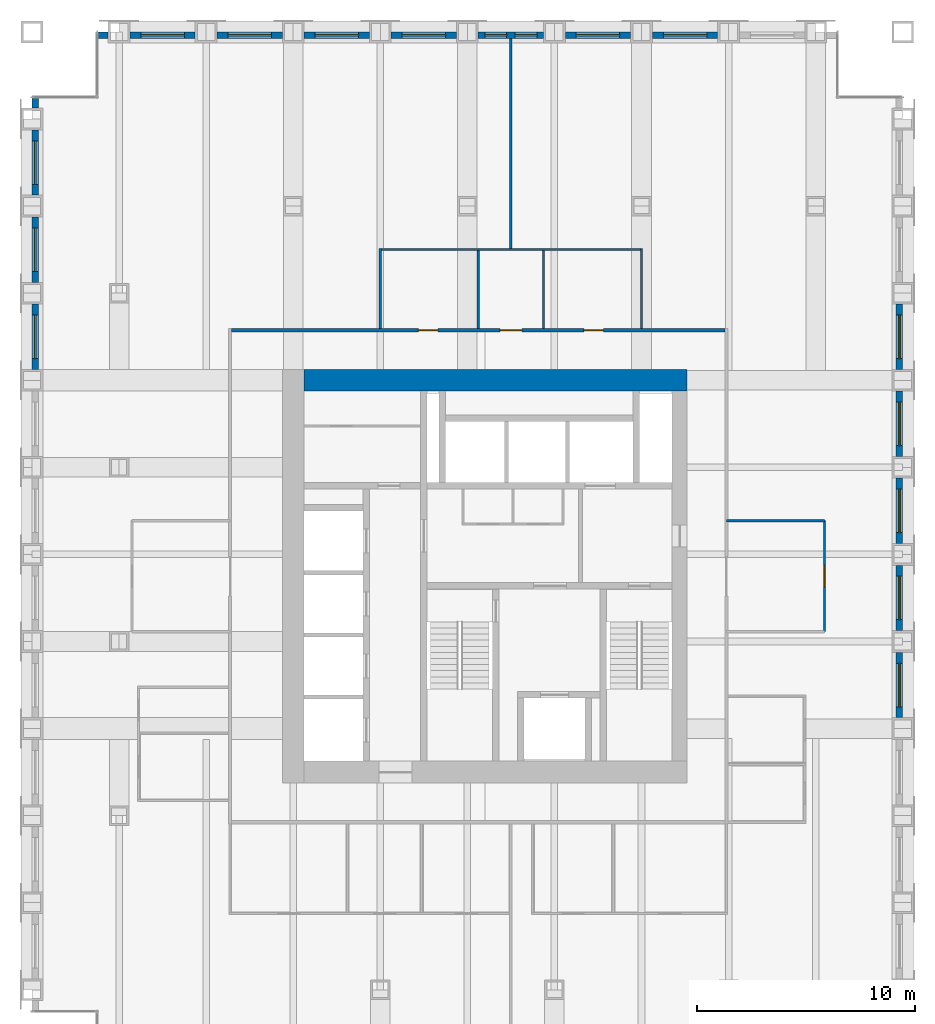
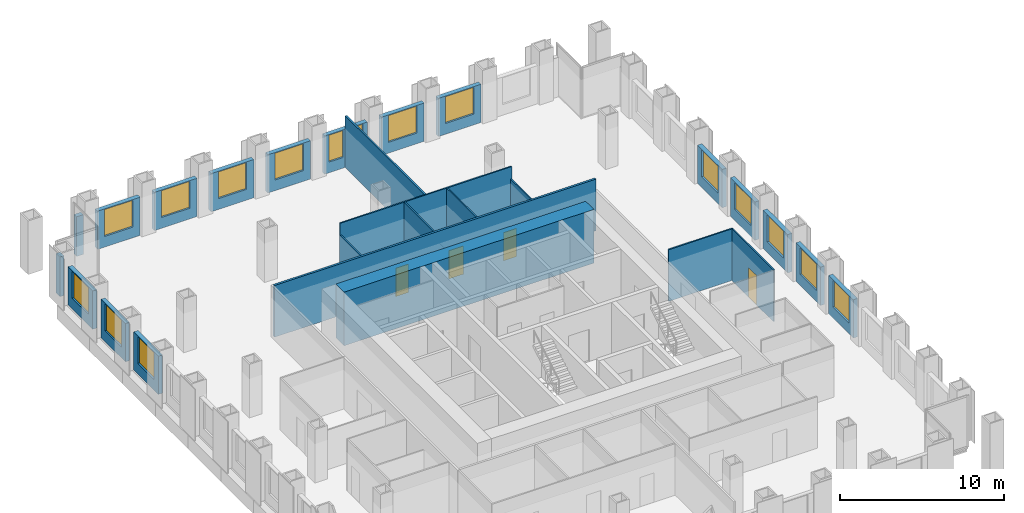
# One storey, part 10 of 12: 27 walls, 16 windows, 4 doors, 20 openings.
"""IFC4 building model written with IfcOpenShell, lengths in metres."""

from ifc_helpers import new_model, si_unit, direction, frame, frame_2d, origin, place, context, subcontext, project, spatial, rectangle, extrude, material, layer, layer_set, type_object, element, fill, save


model = new_model("IFC4")

# Units and contexts
model_context = context("Model", 3, precision=1e-05, world=origin(), true_north=direction((0.0, 1.0)))
body_context = subcontext(model_context, "Body", "Model", "MODEL_VIEW")
ifc_project = project(units=[si_unit("LENGTHUNIT", "METRE"), si_unit("AREAUNIT", "SQUARE_METRE"), si_unit("VOLUMEUNIT", "CUBIC_METRE"), si_unit("PLANEANGLEUNIT", "RADIAN"), si_unit("MASSUNIT", "GRAM", prefix="KILO")], contexts=[model_context])

# Site, building, storey
site_placement = place(None, origin())
site = spatial("IfcSite", under=ifc_project, at=site_placement, CompositionType="ELEMENT")
building_placement = place(site_placement, origin())
building = spatial("IfcBuilding", under=site, at=building_placement, Name="Rimbunsela Tower", CompositionType="ELEMENT")
storey_placement = place(building_placement, frame((0.0, 0.0, 151.800048828125)))
storey = spatial("IfcBuildingStorey", under=building, at=storey_placement, Name="L36", CompositionType="ELEMENT", Elevation=151.800048828125)

# Wall
ifc_material_1 = material(Name="Concrete fc' 80 MPa", Category="concrete")
ifc_layer_1 = layer(ifc_material_1, 1.0)
ifc_layer_set_1 = layer_set([ifc_layer_1], Name="Core wall 1000")
wall_type_1 = type_object("IfcWallType", Name="Core wall 1000", PredefinedType="SHEAR", material=ifc_layer_set_1)
wall_1_placement = place(storey_placement, frame((18.5, 36.0, -0.150146484375), z_axis=(0.0, 0.0, 1.0), x_axis=(1.0, 0.0, 0.0)))
element("IfcWall", 1, at=wall_1_placement, inside=storey, type_object=wall_type_1, Name="Core wall north", PredefinedType="SHEAR", context=body_context, shape_type="SweptSolid", body=[
    extrude(rectangle(XDim=17.60009765625, YDim=1.0, at=frame_2d((8.800048828125, 0.0))), origin(), (0.0, 0.0, 1.0), 4.0),
])

# Wall, opening, door
ifc_material_2 = material(Name="Gypsum board on steel studs", Category="steel")
ifc_layer_2 = layer(ifc_material_2, 0.10009765625)
ifc_layer_set_2 = layer_set([ifc_layer_2], Name="Office partition 100")
wall_type_2 = type_object("IfcWallType", Name="Office partition 100", PredefinedType="PARTITIONING", material=ifc_layer_set_2)
wall_2_placement = place(storey_placement, frame((42.39990234375, 24.449951171875, 0.0), z_axis=(0.0, 0.0, 1.0), x_axis=(0.0, 1.0, 0.0)))
wall_2 = element("IfcWall", 2, at=wall_2_placement, inside=storey, type_object=wall_type_2, Name="Office partition", PredefinedType="PARTITIONING", context=body_context, shape_type="SweptSolid", body=[
    extrude(rectangle(XDim=5.10009765625, YDim=0.10009765625, at=frame_2d((2.550048828125, 0.0))), origin(), (0.0, 0.0, 1.0), 3.849853515625),
])
opening_1_placement = place(wall_2_placement, frame((2.050048828125, 0.0, 0.0)))
opening_1 = element("IfcOpeningElement", 3, at=opening_1_placement, cuts=wall_2, Name="Opening D17", PredefinedType="OPENING", context=body_context, shape_type="SweptSolid", body=[
    extrude(rectangle(XDim=1.0, YDim=2.199951171875, at=frame_2d((0.5, 1.10009765625))), frame((0.0, 0.06005859375, 0.0), z_axis=(0.0, -1.0, 0.0), x_axis=(1.0, 0.0, 0.0)), (0.0, 0.0, 1.0), 0.1201171875),
])
ifc_material_3 = material(Name="Glazed aluminium door", Category="aluminium")
door_type_1 = type_object("IfcDoorType", Name="Meeting room door 1000 glazed", OperationType="SINGLE_SWING_RIGHT", PredefinedType="DOOR", material=ifc_material_3)
door_1_placement = place(opening_1_placement, origin())
door_1 = element("IfcDoor", 4, at=door_1_placement, inside=storey, type_object=door_type_1, Name="Reception door", OperationType="SINGLE_SWING_RIGHT", OverallHeight=2.199951171875, OverallWidth=1.0, PredefinedType="DOOR", context=body_context, shape_type="SweptSolid", body=[
    extrude(rectangle(XDim=1.0, YDim=2.199951171875, at=frame_2d((0.5, 1.10009765625))), frame((0.0, 0.02490234375, 0.0), z_axis=(0.0, -1.0, 0.0), x_axis=(1.0, 0.0, 0.0)), (0.0, 0.0, 1.0), 0.050048828125),
])
fill(opening_1, door_1)

# Wall
wall_3_placement = place(storey_placement, frame((42.39990234375, 29.550048828125, 0.0), z_axis=(0.0, 0.0, 1.0), x_axis=(-1.0, 0.0, 0.0)))
element("IfcWall", 5, at=wall_3_placement, inside=storey, type_object=wall_type_2, Name="Office partition", PredefinedType="PARTITIONING", context=body_context, shape_type="SweptSolid", body=[
    extrude(rectangle(XDim=4.5, YDim=0.10009765625, at=frame_2d((2.25, 0.0))), origin(), (0.0, 0.0, 1.0), 3.849853515625),
])

# Wall, opening, window
ifc_material_4 = material(Name="Precast concrete fc' 35 MPa", Category="concrete")
ifc_layer_3 = layer(ifc_material_4, 0.300048828125)
ifc_layer_set_3 = layer_set([ifc_layer_3], Name="Precast concrete fc' 35 MPa")
wall_type_3 = type_object("IfcWallType", Name="Precast facade panel 300", PredefinedType="ELEMENTEDWALL", material=ifc_layer_set_3)
wall_4_placement = place(storey_placement, frame((45.85009765625, 20.5, 0.0), z_axis=(0.0, 0.0, 1.0), x_axis=(0.0, 1.0, 0.0)))
wall_4 = element("IfcWall", 6, at=wall_4_placement, inside=storey, type_object=wall_type_3, Name="Facade panel E L36", PredefinedType="ELEMENTEDWALL", context=body_context, shape_type="SweptSolid", body=[
    extrude(rectangle(XDim=3.0, YDim=0.300048828125, at=frame_2d((1.5, 0.0))), origin(), (0.0, 0.0, 1.0), 2.849853515625),
])
opening_2_placement = place(wall_4_placement, frame((0.5, 0.0, 0.800048828125)))
opening_2 = element("IfcOpeningElement", 7, at=opening_2_placement, cuts=wall_4, Name="Opening W1", PredefinedType="OPENING", context=body_context, shape_type="SweptSolid", body=[
    extrude(rectangle(XDim=2.0, YDim=2.0, at=frame_2d((1.0, 1.0))), frame((0.0, 0.159912109375, 0.0), z_axis=(0.0, -1.0, 0.0), x_axis=(1.0, 0.0, 0.0)), (0.0, 0.0, 1.0), 0.320068359375),
])
ifc_material_5 = material(Name="Clear glass in aluminium frame", Category="aluminium")
window_type_1 = type_object("IfcWindowType", Name="Window W1 2000x2000", PartitioningType="DOUBLE_PANEL_VERTICAL", PredefinedType="WINDOW", material=ifc_material_5)
window_1_placement = place(opening_2_placement, origin())
window_1 = element("IfcWindow", 8, at=window_1_placement, inside=storey, type_object=window_type_1, Name="Window L36", OverallHeight=2.0, OverallWidth=2.0, PartitioningType="SINGLE_PANEL", PredefinedType="WINDOW", context=body_context, shape_type="SweptSolid", body=[
    extrude(rectangle(XDim=2.0, YDim=2.0, at=frame_2d((1.0, 1.0))), frame((0.0, 0.030029296875, 0.0), z_axis=(0.0, -1.0, 0.0), x_axis=(1.0, 0.0, 0.0)), (0.0, 0.0, 1.0), 0.06005859375),
])
fill(opening_2, window_1)

wall_5_placement = place(storey_placement, frame((45.85009765625, 24.5, 0.0), z_axis=(0.0, 0.0, 1.0), x_axis=(0.0, 1.0, 0.0)))
wall_5 = element("IfcWall", 9, at=wall_5_placement, inside=storey, type_object=wall_type_3, Name="Facade panel E L36", PredefinedType="ELEMENTEDWALL", context=body_context, shape_type="SweptSolid", body=[
    extrude(rectangle(XDim=3.0, YDim=0.300048828125, at=frame_2d((1.5, 0.0))), origin(), (0.0, 0.0, 1.0), 2.849853515625),
])
opening_3_placement = place(wall_5_placement, frame((0.5, 0.0, 0.800048828125)))
opening_3 = element("IfcOpeningElement", 10, at=opening_3_placement, cuts=wall_5, Name="Opening W1", PredefinedType="OPENING", context=body_context, shape_type="SweptSolid", body=[
    extrude(rectangle(XDim=2.0, YDim=2.0, at=frame_2d((1.0, 1.0))), frame((0.0, 0.159912109375, 0.0), z_axis=(0.0, -1.0, 0.0), x_axis=(1.0, 0.0, 0.0)), (0.0, 0.0, 1.0), 0.320068359375),
])
window_2_placement = place(opening_3_placement, origin())
window_2 = element("IfcWindow", 11, at=window_2_placement, inside=storey, type_object=window_type_1, Name="Window L36", OverallHeight=2.0, OverallWidth=2.0, PartitioningType="SINGLE_PANEL", PredefinedType="WINDOW", context=body_context, shape_type="SweptSolid", body=[
    extrude(rectangle(XDim=2.0, YDim=2.0, at=frame_2d((1.0, 1.0))), frame((0.0, 0.030029296875, 0.0), z_axis=(0.0, -1.0, 0.0), x_axis=(1.0, 0.0, 0.0)), (0.0, 0.0, 1.0), 0.06005859375),
])
fill(opening_3, window_2)

wall_6_placement = place(storey_placement, frame((45.85009765625, 28.5, 0.0), z_axis=(0.0, 0.0, 1.0), x_axis=(0.0, 1.0, 0.0)))
wall_6 = element("IfcWall", 12, at=wall_6_placement, inside=storey, type_object=wall_type_3, Name="Facade panel E L36", PredefinedType="ELEMENTEDWALL", context=body_context, shape_type="SweptSolid", body=[
    extrude(rectangle(XDim=3.0, YDim=0.300048828125, at=frame_2d((1.5, 0.0))), origin(), (0.0, 0.0, 1.0), 2.849853515625),
])
opening_4_placement = place(wall_6_placement, frame((0.5, 0.0, 0.800048828125)))
opening_4 = element("IfcOpeningElement", 13, at=opening_4_placement, cuts=wall_6, Name="Opening W1", PredefinedType="OPENING", context=body_context, shape_type="SweptSolid", body=[
    extrude(rectangle(XDim=2.0, YDim=2.0, at=frame_2d((1.0, 1.0))), frame((0.0, 0.159912109375, 0.0), z_axis=(0.0, -1.0, 0.0), x_axis=(1.0, 0.0, 0.0)), (0.0, 0.0, 1.0), 0.320068359375),
])
window_3_placement = place(opening_4_placement, origin())
window_3 = element("IfcWindow", 14, at=window_3_placement, inside=storey, type_object=window_type_1, Name="Window L36", OverallHeight=2.0, OverallWidth=2.0, PartitioningType="SINGLE_PANEL", PredefinedType="WINDOW", context=body_context, shape_type="SweptSolid", body=[
    extrude(rectangle(XDim=2.0, YDim=2.0, at=frame_2d((1.0, 1.0))), frame((0.0, 0.030029296875, 0.0), z_axis=(0.0, -1.0, 0.0), x_axis=(1.0, 0.0, 0.0)), (0.0, 0.0, 1.0), 0.06005859375),
])
fill(opening_4, window_3)

wall_7_placement = place(storey_placement, frame((45.85009765625, 32.5, 0.0), z_axis=(0.0, 0.0, 1.0), x_axis=(0.0, 1.0, 0.0)))
wall_7 = element("IfcWall", 15, at=wall_7_placement, inside=storey, type_object=wall_type_3, Name="Facade panel E L36", PredefinedType="ELEMENTEDWALL", context=body_context, shape_type="SweptSolid", body=[
    extrude(rectangle(XDim=3.0, YDim=0.300048828125, at=frame_2d((1.5, 0.0))), origin(), (0.0, 0.0, 1.0), 2.849853515625),
])
opening_5_placement = place(wall_7_placement, frame((0.5, 0.0, 0.800048828125)))
opening_5 = element("IfcOpeningElement", 16, at=opening_5_placement, cuts=wall_7, Name="Opening W1", PredefinedType="OPENING", context=body_context, shape_type="SweptSolid", body=[
    extrude(rectangle(XDim=2.0, YDim=2.0, at=frame_2d((1.0, 1.0))), frame((0.0, 0.159912109375, 0.0), z_axis=(0.0, -1.0, 0.0), x_axis=(1.0, 0.0, 0.0)), (0.0, 0.0, 1.0), 0.320068359375),
])
window_4_placement = place(opening_5_placement, origin())
window_4 = element("IfcWindow", 17, at=window_4_placement, inside=storey, type_object=window_type_1, Name="Window L36", OverallHeight=2.0, OverallWidth=2.0, PartitioningType="SINGLE_PANEL", PredefinedType="WINDOW", context=body_context, shape_type="SweptSolid", body=[
    extrude(rectangle(XDim=2.0, YDim=2.0, at=frame_2d((1.0, 1.0))), frame((0.0, 0.030029296875, 0.0), z_axis=(0.0, -1.0, 0.0), x_axis=(1.0, 0.0, 0.0)), (0.0, 0.0, 1.0), 0.06005859375),
])
fill(opening_5, window_4)

wall_8_placement = place(storey_placement, frame((45.85009765625, 36.5, 0.0), z_axis=(0.0, 0.0, 1.0), x_axis=(0.0, 1.0, 0.0)))
wall_8 = element("IfcWall", 18, at=wall_8_placement, inside=storey, type_object=wall_type_3, Name="Facade panel E L36", PredefinedType="ELEMENTEDWALL", context=body_context, shape_type="SweptSolid", body=[
    extrude(rectangle(XDim=3.0, YDim=0.300048828125, at=frame_2d((1.5, 0.0))), origin(), (0.0, 0.0, 1.0), 2.849853515625),
])
opening_6_placement = place(wall_8_placement, frame((0.5, 0.0, 0.800048828125)))
opening_6 = element("IfcOpeningElement", 19, at=opening_6_placement, cuts=wall_8, Name="Opening W1", PredefinedType="OPENING", context=body_context, shape_type="SweptSolid", body=[
    extrude(rectangle(XDim=2.0, YDim=2.0, at=frame_2d((1.0, 1.0))), frame((0.0, 0.159912109375, 0.0), z_axis=(0.0, -1.0, 0.0), x_axis=(1.0, 0.0, 0.0)), (0.0, 0.0, 1.0), 0.320068359375),
])
window_5_placement = place(opening_6_placement, origin())
window_5 = element("IfcWindow", 20, at=window_5_placement, inside=storey, type_object=window_type_1, Name="Window L36", OverallHeight=2.0, OverallWidth=2.0, PartitioningType="SINGLE_PANEL", PredefinedType="WINDOW", context=body_context, shape_type="SweptSolid", body=[
    extrude(rectangle(XDim=2.0, YDim=2.0, at=frame_2d((1.0, 1.0))), frame((0.0, 0.030029296875, 0.0), z_axis=(0.0, -1.0, 0.0), x_axis=(1.0, 0.0, 0.0)), (0.0, 0.0, 1.0), 0.06005859375),
])
fill(opening_6, window_5)

# Wall
wall_9_placement = place(storey_placement, frame((9.5, 51.85009765625, 0.0), z_axis=(0.0, 0.0, 1.0), x_axis=(-1.0, 0.0, 0.0)))
element("IfcWall", 21, at=wall_9_placement, inside=storey, type_object=wall_type_3, Name="Facade panel N L36", PredefinedType="ELEMENTEDWALL", context=body_context, shape_type="SweptSolid", body=[
    extrude(rectangle(XDim=0.469970703125, YDim=0.300048828125, at=frame_2d((0.23486328125, 0.0))), origin(), (0.0, 0.0, 1.0), 2.949951171875),
])

# Wall, opening, window
wall_10_placement = place(storey_placement, frame((13.5, 51.85009765625, 0.0), z_axis=(0.0, 0.0, 1.0), x_axis=(-1.0, 0.0, 0.0)))
wall_10 = element("IfcWall", 22, at=wall_10_placement, inside=storey, type_object=wall_type_3, Name="Facade panel N L36", PredefinedType="ELEMENTEDWALL", context=body_context, shape_type="SweptSolid", body=[
    extrude(rectangle(XDim=3.0, YDim=0.300048828125, at=frame_2d((1.5, 0.0))), origin(), (0.0, 0.0, 1.0), 2.849853515625),
])
opening_7_placement = place(wall_10_placement, frame((0.5, 0.0, 0.800048828125)))
opening_7 = element("IfcOpeningElement", 23, at=opening_7_placement, cuts=wall_10, Name="Opening W1", PredefinedType="OPENING", context=body_context, shape_type="SweptSolid", body=[
    extrude(rectangle(XDim=2.0, YDim=2.0, at=frame_2d((1.0, 1.0))), frame((0.0, 0.159912109375, 0.0), z_axis=(0.0, -1.0, 0.0), x_axis=(1.0, 0.0, 0.0)), (0.0, 0.0, 1.0), 0.320068359375),
])
window_6_placement = place(opening_7_placement, origin())
window_6 = element("IfcWindow", 24, at=window_6_placement, inside=storey, type_object=window_type_1, Name="Window L36", OverallHeight=2.0, OverallWidth=2.0, PartitioningType="SINGLE_PANEL", PredefinedType="WINDOW", context=body_context, shape_type="SweptSolid", body=[
    extrude(rectangle(XDim=2.0, YDim=2.0, at=frame_2d((1.0, 1.0))), frame((0.0, 0.030029296875, 0.0), z_axis=(0.0, -1.0, 0.0), x_axis=(1.0, 0.0, 0.0)), (0.0, 0.0, 1.0), 0.06005859375),
])
fill(opening_7, window_6)

wall_11_placement = place(storey_placement, frame((17.5, 51.85009765625, 0.0), z_axis=(0.0, 0.0, 1.0), x_axis=(-1.0, 0.0, 0.0)))
wall_11 = element("IfcWall", 25, at=wall_11_placement, inside=storey, type_object=wall_type_3, Name="Facade panel N L36", PredefinedType="ELEMENTEDWALL", context=body_context, shape_type="SweptSolid", body=[
    extrude(rectangle(XDim=3.0, YDim=0.300048828125, at=frame_2d((1.5, 0.0))), origin(), (0.0, 0.0, 1.0), 2.849853515625),
])
opening_8_placement = place(wall_11_placement, frame((0.5, 0.0, 0.800048828125)))
opening_8 = element("IfcOpeningElement", 26, at=opening_8_placement, cuts=wall_11, Name="Opening W1", PredefinedType="OPENING", context=body_context, shape_type="SweptSolid", body=[
    extrude(rectangle(XDim=2.0, YDim=2.0, at=frame_2d((1.0, 1.0))), frame((0.0, 0.159912109375, 0.0), z_axis=(0.0, -1.0, 0.0), x_axis=(1.0, 0.0, 0.0)), (0.0, 0.0, 1.0), 0.320068359375),
])
window_7_placement = place(opening_8_placement, origin())
window_7 = element("IfcWindow", 27, at=window_7_placement, inside=storey, type_object=window_type_1, Name="Window L36", OverallHeight=2.0, OverallWidth=2.0, PartitioningType="SINGLE_PANEL", PredefinedType="WINDOW", context=body_context, shape_type="SweptSolid", body=[
    extrude(rectangle(XDim=2.0, YDim=2.0, at=frame_2d((1.0, 1.0))), frame((0.0, 0.030029296875, 0.0), z_axis=(0.0, -1.0, 0.0), x_axis=(1.0, 0.0, 0.0)), (0.0, 0.0, 1.0), 0.06005859375),
])
fill(opening_8, window_7)

wall_12_placement = place(storey_placement, frame((21.5, 51.85009765625, 0.0), z_axis=(0.0, 0.0, 1.0), x_axis=(-1.0, 0.0, 0.0)))
wall_12 = element("IfcWall", 28, at=wall_12_placement, inside=storey, type_object=wall_type_3, Name="Facade panel N L36", PredefinedType="ELEMENTEDWALL", context=body_context, shape_type="SweptSolid", body=[
    extrude(rectangle(XDim=3.0, YDim=0.300048828125, at=frame_2d((1.5, 0.0))), origin(), (0.0, 0.0, 1.0), 2.849853515625),
])
opening_9_placement = place(wall_12_placement, frame((0.5, 0.0, 0.800048828125)))
opening_9 = element("IfcOpeningElement", 29, at=opening_9_placement, cuts=wall_12, Name="Opening W1", PredefinedType="OPENING", context=body_context, shape_type="SweptSolid", body=[
    extrude(rectangle(XDim=2.0, YDim=2.0, at=frame_2d((1.0, 1.0))), frame((0.0, 0.159912109375, 0.0), z_axis=(0.0, -1.0, 0.0), x_axis=(1.0, 0.0, 0.0)), (0.0, 0.0, 1.0), 0.320068359375),
])
window_8_placement = place(opening_9_placement, origin())
window_8 = element("IfcWindow", 30, at=window_8_placement, inside=storey, type_object=window_type_1, Name="Window L36", OverallHeight=2.0, OverallWidth=2.0, PartitioningType="SINGLE_PANEL", PredefinedType="WINDOW", context=body_context, shape_type="SweptSolid", body=[
    extrude(rectangle(XDim=2.0, YDim=2.0, at=frame_2d((1.0, 1.0))), frame((0.0, 0.030029296875, 0.0), z_axis=(0.0, -1.0, 0.0), x_axis=(1.0, 0.0, 0.0)), (0.0, 0.0, 1.0), 0.06005859375),
])
fill(opening_9, window_8)

wall_13_placement = place(storey_placement, frame((25.5, 51.85009765625, 0.0), z_axis=(0.0, 0.0, 1.0), x_axis=(-1.0, 0.0, 0.0)))
wall_13 = element("IfcWall", 31, at=wall_13_placement, inside=storey, type_object=wall_type_3, Name="Facade panel N L36", PredefinedType="ELEMENTEDWALL", context=body_context, shape_type="SweptSolid", body=[
    extrude(rectangle(XDim=3.0, YDim=0.300048828125, at=frame_2d((1.5, 0.0))), origin(), (0.0, 0.0, 1.0), 2.849853515625),
])
opening_10_placement = place(wall_13_placement, frame((0.5, 0.0, 0.800048828125)))
opening_10 = element("IfcOpeningElement", 32, at=opening_10_placement, cuts=wall_13, Name="Opening W1", PredefinedType="OPENING", context=body_context, shape_type="SweptSolid", body=[
    extrude(rectangle(XDim=2.0, YDim=2.0, at=frame_2d((1.0, 1.0))), frame((0.0, 0.159912109375, 0.0), z_axis=(0.0, -1.0, 0.0), x_axis=(1.0, 0.0, 0.0)), (0.0, 0.0, 1.0), 0.320068359375),
])
window_9_placement = place(opening_10_placement, origin())
window_9 = element("IfcWindow", 33, at=window_9_placement, inside=storey, type_object=window_type_1, Name="Window L36", OverallHeight=2.0, OverallWidth=2.0, PartitioningType="SINGLE_PANEL", PredefinedType="WINDOW", context=body_context, shape_type="SweptSolid", body=[
    extrude(rectangle(XDim=2.0, YDim=2.0, at=frame_2d((1.0, 1.0))), frame((0.0, 0.030029296875, 0.0), z_axis=(0.0, -1.0, 0.0), x_axis=(1.0, 0.0, 0.0)), (0.0, 0.0, 1.0), 0.06005859375),
])
fill(opening_10, window_9)

# Wall, openings, windows
wall_14_placement = place(storey_placement, frame((29.5, 51.85009765625, 0.0), z_axis=(0.0, 0.0, 1.0), x_axis=(-1.0, 0.0, 0.0)))
wall_14 = element("IfcWall", 34, at=wall_14_placement, inside=storey, type_object=wall_type_3, Name="Facade panel N L36", PredefinedType="ELEMENTEDWALL", context=body_context, shape_type="SweptSolid", body=[
    extrude(rectangle(XDim=3.0, YDim=0.300048828125, at=frame_2d((1.5, 0.0))), origin(), (0.0, 0.0, 1.0), 2.849853515625),
])
opening_11_placement = place(wall_14_placement, frame((1.699951171875, 0.0, 0.800048828125)))
opening_11 = element("IfcOpeningElement", 35, at=opening_11_placement, cuts=wall_14, Name="Opening W5", PredefinedType="OPENING", context=body_context, shape_type="SweptSolid", body=[
    extrude(rectangle(XDim=1.0, YDim=2.0, at=frame_2d((0.5, 1.0))), frame((0.0, 0.159912109375, 0.0), z_axis=(0.0, -1.0, 0.0), x_axis=(1.0, 0.0, 0.0)), (0.0, 0.0, 1.0), 0.320068359375),
])
opening_12_placement = place(wall_14_placement, frame((0.300048828125, 0.0, 0.800048828125)))
opening_12 = element("IfcOpeningElement", 36, at=opening_12_placement, cuts=wall_14, Name="Opening W5", PredefinedType="OPENING", context=body_context, shape_type="SweptSolid", body=[
    extrude(rectangle(XDim=1.0, YDim=2.0, at=frame_2d((0.5, 1.0))), frame((0.0, 0.159912109375, 0.0), z_axis=(0.0, -1.0, 0.0), x_axis=(1.0, 0.0, 0.0)), (0.0, 0.0, 1.0), 0.320068359375),
])
ifc_material_6 = material(Name="Clear glass in aluminium frame", Category="aluminium")
window_type_2 = type_object("IfcWindowType", Name="Window W5 1000x2000", PartitioningType="SINGLE_PANEL", PredefinedType="WINDOW", material=ifc_material_6)
window_10_placement = place(opening_11_placement, origin())
window_10 = element("IfcWindow", 37, at=window_10_placement, inside=storey, type_object=window_type_2, Name="Window L36", OverallHeight=2.0, OverallWidth=1.0, PartitioningType="SINGLE_PANEL", PredefinedType="WINDOW", context=body_context, shape_type="SweptSolid", body=[
    extrude(rectangle(XDim=1.0, YDim=2.0, at=frame_2d((0.5, 1.0))), frame((0.0, 0.030029296875, 0.0), z_axis=(0.0, -1.0, 0.0), x_axis=(1.0, 0.0, 0.0)), (0.0, 0.0, 1.0), 0.06005859375),
])
fill(opening_11, window_10)
window_11_placement = place(opening_12_placement, origin())
window_11 = element("IfcWindow", 38, at=window_11_placement, inside=storey, type_object=window_type_2, Name="Window L36", OverallHeight=2.0, OverallWidth=1.0, PartitioningType="SINGLE_PANEL", PredefinedType="WINDOW", context=body_context, shape_type="SweptSolid", body=[
    extrude(rectangle(XDim=1.0, YDim=2.0, at=frame_2d((0.5, 1.0))), frame((0.0, 0.030029296875, 0.0), z_axis=(0.0, -1.0, 0.0), x_axis=(1.0, 0.0, 0.0)), (0.0, 0.0, 1.0), 0.06005859375),
])
fill(opening_12, window_11)

# Wall, opening, window
wall_15_placement = place(storey_placement, frame((33.5, 51.85009765625, 0.0), z_axis=(0.0, 0.0, 1.0), x_axis=(-1.0, 0.0, 0.0)))
wall_15 = element("IfcWall", 39, at=wall_15_placement, inside=storey, type_object=wall_type_3, Name="Facade panel N L36", PredefinedType="ELEMENTEDWALL", context=body_context, shape_type="SweptSolid", body=[
    extrude(rectangle(XDim=3.0, YDim=0.300048828125, at=frame_2d((1.5, 0.0))), origin(), (0.0, 0.0, 1.0), 2.849853515625),
])
opening_13_placement = place(wall_15_placement, frame((0.5, 0.0, 0.800048828125)))
opening_13 = element("IfcOpeningElement", 40, at=opening_13_placement, cuts=wall_15, Name="Opening W1", PredefinedType="OPENING", context=body_context, shape_type="SweptSolid", body=[
    extrude(rectangle(XDim=2.0, YDim=2.0, at=frame_2d((1.0, 1.0))), frame((0.0, 0.159912109375, 0.0), z_axis=(0.0, -1.0, 0.0), x_axis=(1.0, 0.0, 0.0)), (0.0, 0.0, 1.0), 0.320068359375),
])
window_12_placement = place(opening_13_placement, origin())
window_12 = element("IfcWindow", 41, at=window_12_placement, inside=storey, type_object=window_type_1, Name="Window L36", OverallHeight=2.0, OverallWidth=2.0, PartitioningType="SINGLE_PANEL", PredefinedType="WINDOW", context=body_context, shape_type="SweptSolid", body=[
    extrude(rectangle(XDim=2.0, YDim=2.0, at=frame_2d((1.0, 1.0))), frame((0.0, 0.030029296875, 0.0), z_axis=(0.0, -1.0, 0.0), x_axis=(1.0, 0.0, 0.0)), (0.0, 0.0, 1.0), 0.06005859375),
])
fill(opening_13, window_12)

wall_16_placement = place(storey_placement, frame((37.5, 51.85009765625, 0.0), z_axis=(0.0, 0.0, 1.0), x_axis=(-1.0, 0.0, 0.0)))
wall_16 = element("IfcWall", 42, at=wall_16_placement, inside=storey, type_object=wall_type_3, Name="Facade panel N L36", PredefinedType="ELEMENTEDWALL", context=body_context, shape_type="SweptSolid", body=[
    extrude(rectangle(XDim=3.0, YDim=0.300048828125, at=frame_2d((1.5, 0.0))), origin(), (0.0, 0.0, 1.0), 2.849853515625),
])
opening_14_placement = place(wall_16_placement, frame((0.5, 0.0, 0.800048828125)))
opening_14 = element("IfcOpeningElement", 43, at=opening_14_placement, cuts=wall_16, Name="Opening W1", PredefinedType="OPENING", context=body_context, shape_type="SweptSolid", body=[
    extrude(rectangle(XDim=2.0, YDim=2.0, at=frame_2d((1.0, 1.0))), frame((0.0, 0.159912109375, 0.0), z_axis=(0.0, -1.0, 0.0), x_axis=(1.0, 0.0, 0.0)), (0.0, 0.0, 1.0), 0.320068359375),
])
window_13_placement = place(opening_14_placement, origin())
window_13 = element("IfcWindow", 44, at=window_13_placement, inside=storey, type_object=window_type_1, Name="Window L36", OverallHeight=2.0, OverallWidth=2.0, PartitioningType="SINGLE_PANEL", PredefinedType="WINDOW", context=body_context, shape_type="SweptSolid", body=[
    extrude(rectangle(XDim=2.0, YDim=2.0, at=frame_2d((1.0, 1.0))), frame((0.0, 0.030029296875, 0.0), z_axis=(0.0, -1.0, 0.0), x_axis=(1.0, 0.0, 0.0)), (0.0, 0.0, 1.0), 0.06005859375),
])
fill(opening_14, window_13)

wall_17_placement = place(storey_placement, frame((6.14990234375, 39.5, 0.0), z_axis=(0.0, 0.0, 1.0), x_axis=(0.0, -1.0, 0.0)))
wall_17 = element("IfcWall", 45, at=wall_17_placement, inside=storey, type_object=wall_type_3, Name="Facade panel W L36", PredefinedType="ELEMENTEDWALL", context=body_context, shape_type="SweptSolid", body=[
    extrude(rectangle(XDim=3.0, YDim=0.300048828125, at=frame_2d((1.5, 0.0))), origin(), (0.0, 0.0, 1.0), 2.849853515625),
])
opening_15_placement = place(wall_17_placement, frame((0.5, 0.0, 0.800048828125)))
opening_15 = element("IfcOpeningElement", 46, at=opening_15_placement, cuts=wall_17, Name="Opening W1", PredefinedType="OPENING", context=body_context, shape_type="SweptSolid", body=[
    extrude(rectangle(XDim=2.0, YDim=2.0, at=frame_2d((1.0, 1.0))), frame((0.0, 0.159912109375, 0.0), z_axis=(0.0, -1.0, 0.0), x_axis=(1.0, 0.0, 0.0)), (0.0, 0.0, 1.0), 0.320068359375),
])
window_14_placement = place(opening_15_placement, origin())
window_14 = element("IfcWindow", 47, at=window_14_placement, inside=storey, type_object=window_type_1, Name="Window L36", OverallHeight=2.0, OverallWidth=2.0, PartitioningType="SINGLE_PANEL", PredefinedType="WINDOW", context=body_context, shape_type="SweptSolid", body=[
    extrude(rectangle(XDim=2.0, YDim=2.0, at=frame_2d((1.0, 1.0))), frame((0.0, 0.030029296875, 0.0), z_axis=(0.0, -1.0, 0.0), x_axis=(1.0, 0.0, 0.0)), (0.0, 0.0, 1.0), 0.06005859375),
])
fill(opening_15, window_14)

wall_18_placement = place(storey_placement, frame((6.14990234375, 43.5, 0.0), z_axis=(0.0, 0.0, 1.0), x_axis=(0.0, -1.0, 0.0)))
wall_18 = element("IfcWall", 48, at=wall_18_placement, inside=storey, type_object=wall_type_3, Name="Facade panel W L36", PredefinedType="ELEMENTEDWALL", context=body_context, shape_type="SweptSolid", body=[
    extrude(rectangle(XDim=3.0, YDim=0.300048828125, at=frame_2d((1.5, 0.0))), origin(), (0.0, 0.0, 1.0), 2.849853515625),
])
opening_16_placement = place(wall_18_placement, frame((0.5, 0.0, 0.800048828125)))
opening_16 = element("IfcOpeningElement", 49, at=opening_16_placement, cuts=wall_18, Name="Opening W1", PredefinedType="OPENING", context=body_context, shape_type="SweptSolid", body=[
    extrude(rectangle(XDim=2.0, YDim=2.0, at=frame_2d((1.0, 1.0))), frame((0.0, 0.159912109375, 0.0), z_axis=(0.0, -1.0, 0.0), x_axis=(1.0, 0.0, 0.0)), (0.0, 0.0, 1.0), 0.320068359375),
])
window_15_placement = place(opening_16_placement, origin())
window_15 = element("IfcWindow", 50, at=window_15_placement, inside=storey, type_object=window_type_1, Name="Window L36", OverallHeight=2.0, OverallWidth=2.0, PartitioningType="SINGLE_PANEL", PredefinedType="WINDOW", context=body_context, shape_type="SweptSolid", body=[
    extrude(rectangle(XDim=2.0, YDim=2.0, at=frame_2d((1.0, 1.0))), frame((0.0, 0.030029296875, 0.0), z_axis=(0.0, -1.0, 0.0), x_axis=(1.0, 0.0, 0.0)), (0.0, 0.0, 1.0), 0.06005859375),
])
fill(opening_16, window_15)

wall_19_placement = place(storey_placement, frame((6.14990234375, 47.5, 0.0), z_axis=(0.0, 0.0, 1.0), x_axis=(0.0, -1.0, 0.0)))
wall_19 = element("IfcWall", 51, at=wall_19_placement, inside=storey, type_object=wall_type_3, Name="Facade panel W L36", PredefinedType="ELEMENTEDWALL", context=body_context, shape_type="SweptSolid", body=[
    extrude(rectangle(XDim=3.0, YDim=0.300048828125, at=frame_2d((1.5, 0.0))), origin(), (0.0, 0.0, 1.0), 2.849853515625),
])
opening_17_placement = place(wall_19_placement, frame((0.5, 0.0, 0.800048828125)))
opening_17 = element("IfcOpeningElement", 52, at=opening_17_placement, cuts=wall_19, Name="Opening W1", PredefinedType="OPENING", context=body_context, shape_type="SweptSolid", body=[
    extrude(rectangle(XDim=2.0, YDim=2.0, at=frame_2d((1.0, 1.0))), frame((0.0, 0.159912109375, 0.0), z_axis=(0.0, -1.0, 0.0), x_axis=(1.0, 0.0, 0.0)), (0.0, 0.0, 1.0), 0.320068359375),
])
window_16_placement = place(opening_17_placement, origin())
window_16 = element("IfcWindow", 53, at=window_16_placement, inside=storey, type_object=window_type_1, Name="Window L36", OverallHeight=2.0, OverallWidth=2.0, PartitioningType="SINGLE_PANEL", PredefinedType="WINDOW", context=body_context, shape_type="SweptSolid", body=[
    extrude(rectangle(XDim=2.0, YDim=2.0, at=frame_2d((1.0, 1.0))), frame((0.0, 0.030029296875, 0.0), z_axis=(0.0, -1.0, 0.0), x_axis=(1.0, 0.0, 0.0)), (0.0, 0.0, 1.0), 0.06005859375),
])
fill(opening_17, window_16)

# Wall
wall_20_placement = place(storey_placement, frame((6.14990234375, 48.969970703125, 0.0), z_axis=(0.0, 0.0, 1.0), x_axis=(0.0, -1.0, 0.0)))
element("IfcWall", 54, at=wall_20_placement, inside=storey, type_object=wall_type_3, Name="Facade panel W L36", PredefinedType="ELEMENTEDWALL", context=body_context, shape_type="SweptSolid", body=[
    extrude(rectangle(XDim=0.469970703125, YDim=0.300048828125, at=frame_2d((0.23486328125, 0.0))), origin(), (0.0, 0.0, 1.0), 2.949951171875),
])

# Wall, openings, doors
ifc_material_7 = material(Name="Fire-rated gypsum board on steel studs, EI 60", Category="steel")
ifc_layer_4 = layer(ifc_material_7, 0.14990234375)
ifc_layer_set_4 = layer_set([ifc_layer_4], Name="Rated corridor wall 150")
wall_type_4 = type_object("IfcWallType", Name="Rated corridor wall 150", PredefinedType="PARTITIONING", material=ifc_layer_set_4)
wall_21_placement = place(storey_placement, frame((15.175048828125, 38.300048828125, 0.0), z_axis=(0.0, 0.0, 1.0), x_axis=(1.0, 0.0, 0.0)))
wall_21 = element("IfcWall", 55, at=wall_21_placement, inside=storey, type_object=wall_type_4, Name="Corridor wall north", PredefinedType="PARTITIONING", context=body_context, shape_type="SweptSolid", body=[
    extrude(rectangle(XDim=22.64990234375, YDim=0.14990234375, at=frame_2d((11.324951171875, 0.0))), origin(), (0.0, 0.0, 1.0), 3.849853515625),
])
opening_18_placement = place(wall_21_placement, frame((8.574951171875, 0.0, 0.0)))
opening_18 = element("IfcOpeningElement", 56, at=opening_18_placement, cuts=wall_21, Name="Opening D04", PredefinedType="OPENING", context=body_context, shape_type="SweptSolid", body=[
    extrude(rectangle(XDim=0.89990234375, YDim=2.10009765625, at=frame_2d((0.449951171875, 1.050048828125))), frame((0.0, 0.0849609375, 0.0), z_axis=(0.0, -1.0, 0.0), x_axis=(1.0, 0.0, 0.0)), (0.0, 0.0, 1.0), 0.169921875),
])
opening_19_placement = place(wall_21_placement, frame((12.324951171875, 0.0, 0.0)))
opening_19 = element("IfcOpeningElement", 57, at=opening_19_placement, cuts=wall_21, Name="Opening D05", PredefinedType="OPENING", context=body_context, shape_type="SweptSolid", body=[
    extrude(rectangle(XDim=1.0, YDim=2.10009765625, at=frame_2d((0.5, 1.050048828125))), frame((0.0, 0.0849609375, 0.0), z_axis=(0.0, -1.0, 0.0), x_axis=(1.0, 0.0, 0.0)), (0.0, 0.0, 1.0), 0.169921875),
])
opening_20_placement = place(wall_21_placement, frame((16.175048828125, 0.0, 0.0)))
opening_20 = element("IfcOpeningElement", 58, at=opening_20_placement, cuts=wall_21, Name="Opening D04", PredefinedType="OPENING", context=body_context, shape_type="SweptSolid", body=[
    extrude(rectangle(XDim=0.89990234375, YDim=2.10009765625, at=frame_2d((0.449951171875, 1.050048828125))), frame((0.0, 0.0849609375, 0.0), z_axis=(0.0, -1.0, 0.0), x_axis=(1.0, 0.0, 0.0)), (0.0, 0.0, 1.0), 0.169921875),
])
ifc_material_8 = material(Name="Timber door", Category="wood")
door_type_2 = type_object("IfcDoorType", Name="Accessible WC door 1000", OperationType="SLIDING_TO_LEFT", PredefinedType="DOOR", material=ifc_material_8)
door_2_placement = place(opening_19_placement, origin())
door_2 = element("IfcDoor", 59, at=door_2_placement, inside=storey, type_object=door_type_2, Name="Accessible WC door", OperationType="SLIDING_TO_LEFT", OverallHeight=2.10009765625, OverallWidth=1.0, PredefinedType="DOOR", context=body_context, shape_type="SweptSolid", body=[
    extrude(rectangle(XDim=1.0, YDim=2.10009765625, at=frame_2d((0.5, 1.050048828125))), frame((0.0, 0.02490234375, 0.0), z_axis=(0.0, -1.0, 0.0), x_axis=(1.0, 0.0, 0.0)), (0.0, 0.0, 1.0), 0.050048828125),
])
fill(opening_19, door_2)
ifc_material_9 = material(Name="Timber door", Category="wood")
door_type_3 = type_object("IfcDoorType", Name="Toilet door 900", OperationType="SINGLE_SWING_LEFT", PredefinedType="DOOR", material=ifc_material_9)
door_3_placement = place(opening_18_placement, origin())
door_3 = element("IfcDoor", 60, at=door_3_placement, inside=storey, type_object=door_type_3, Name="Female WC door", OperationType="SINGLE_SWING_LEFT", OverallHeight=2.10009765625, OverallWidth=0.89990234375, PredefinedType="DOOR", context=body_context, shape_type="SweptSolid", body=[
    extrude(rectangle(XDim=0.89990234375, YDim=2.10009765625, at=frame_2d((0.449951171875, 1.050048828125))), frame((0.0, 0.02490234375, 0.0), z_axis=(0.0, -1.0, 0.0), x_axis=(1.0, 0.0, 0.0)), (0.0, 0.0, 1.0), 0.050048828125),
])
fill(opening_18, door_3)
door_4_placement = place(opening_20_placement, origin())
door_4 = element("IfcDoor", 61, at=door_4_placement, inside=storey, type_object=door_type_3, Name="Male WC door", OperationType="SINGLE_SWING_LEFT", OverallHeight=2.10009765625, OverallWidth=0.89990234375, PredefinedType="DOOR", context=body_context, shape_type="SweptSolid", body=[
    extrude(rectangle(XDim=0.89990234375, YDim=2.10009765625, at=frame_2d((0.449951171875, 1.050048828125))), frame((0.0, 0.02490234375, 0.0), z_axis=(0.0, -1.0, 0.0), x_axis=(1.0, 0.0, 0.0)), (0.0, 0.0, 1.0), 0.050048828125),
])
fill(opening_20, door_4)

# Walls
ifc_material_10 = material(Name="Gypsum board on steel studs", Category="steel")
ifc_layer_5 = layer(ifc_material_10, 0.1201171875)
ifc_layer_set_5 = layer_set([ifc_layer_5], Name="Tenancy partition 120")
wall_type_5 = type_object("IfcWallType", Name="Tenancy partition 120", PredefinedType="PARTITIONING", material=ifc_layer_set_5)
wall_22_placement = place(storey_placement, frame((28.0, 42.050048828125, 0.0), z_axis=(0.0, 0.0, 1.0), x_axis=(0.0, 1.0, 0.0)))
element("IfcWall", 62, at=wall_22_placement, inside=storey, type_object=wall_type_5, Name="Tenancy partition north", PredefinedType="PARTITIONING", context=body_context, shape_type="SweptSolid", body=[
    extrude(rectangle(XDim=9.64990234375, YDim=0.1201171875, at=frame_2d((4.824951171875, 0.0))), origin(), (0.0, 0.0, 1.0), 3.849853515625),
])
ifc_material_11 = material(Name="Concrete blockwork", Category="masonry")
ifc_layer_6 = layer(ifc_material_11, 0.10009765625)
ifc_layer_set_6 = layer_set([ifc_layer_6], Name="Toilet partition 100")
wall_type_6 = type_object("IfcWallType", Name="Toilet partition 100", PredefinedType="PARTITIONING", material=ifc_layer_set_6)
for number, where, z_axis, x_axis, name in (
    (63, (22.0, 38.375, 0.0), (0.0, 0.0, 1.0), (0.0, 1.0, 0.0), "Toilet block wall west"),
    (64, (34.0, 38.375, 0.0), (0.0, 0.0, 1.0), (0.0, 1.0, 0.0), "Toilet block wall east"),
):
    element("IfcWall", number, at=place(storey_placement, frame(where, z_axis=z_axis, x_axis=x_axis)), inside=storey, type_object=wall_type_6, Name=name, PredefinedType="PARTITIONING", context=body_context, shape_type="SweptSolid", body=[
        extrude(rectangle(XDim=3.675048828125, YDim=0.10009765625, at=frame_2d((1.83740234375, 0.0))), origin(), (0.0, 0.0, 1.0), 2.949951171875),
    ])
wall_23_placement = place(storey_placement, frame((21.949951171875, 42.0, 0.0), z_axis=(0.0, 0.0, 1.0), x_axis=(1.0, 0.0, 0.0)))
element("IfcWall", 65, at=wall_23_placement, inside=storey, type_object=wall_type_6, Name="Toilet block wall north", PredefinedType="PARTITIONING", context=body_context, shape_type="SweptSolid", body=[
    extrude(rectangle(XDim=12.10009765625, YDim=0.10009765625, at=frame_2d((6.050048828125, 0.0))), origin(), (0.0, 0.0, 1.0), 3.849853515625),
])
for number, where, z_axis, x_axis, name in (
    (66, (26.5, 38.375, 0.0), (0.0, 0.0, 1.0), (0.0, 1.0, 0.0), "Toilet partition"),
    (67, (29.5, 38.375, 0.0), (0.0, 0.0, 1.0), (0.0, 1.0, 0.0), "Toilet partition"),
):
    element("IfcWall", number, at=place(storey_placement, frame(where, z_axis=z_axis, x_axis=x_axis)), inside=storey, type_object=wall_type_6, Name=name, PredefinedType="PARTITIONING", context=body_context, shape_type="SweptSolid", body=[
        extrude(rectangle(XDim=3.574951171875, YDim=0.10009765625, at=frame_2d((1.78759765625, 0.0))), origin(), (0.0, 0.0, 1.0), 3.849853515625),
    ])

save(model, "model.ifc")
